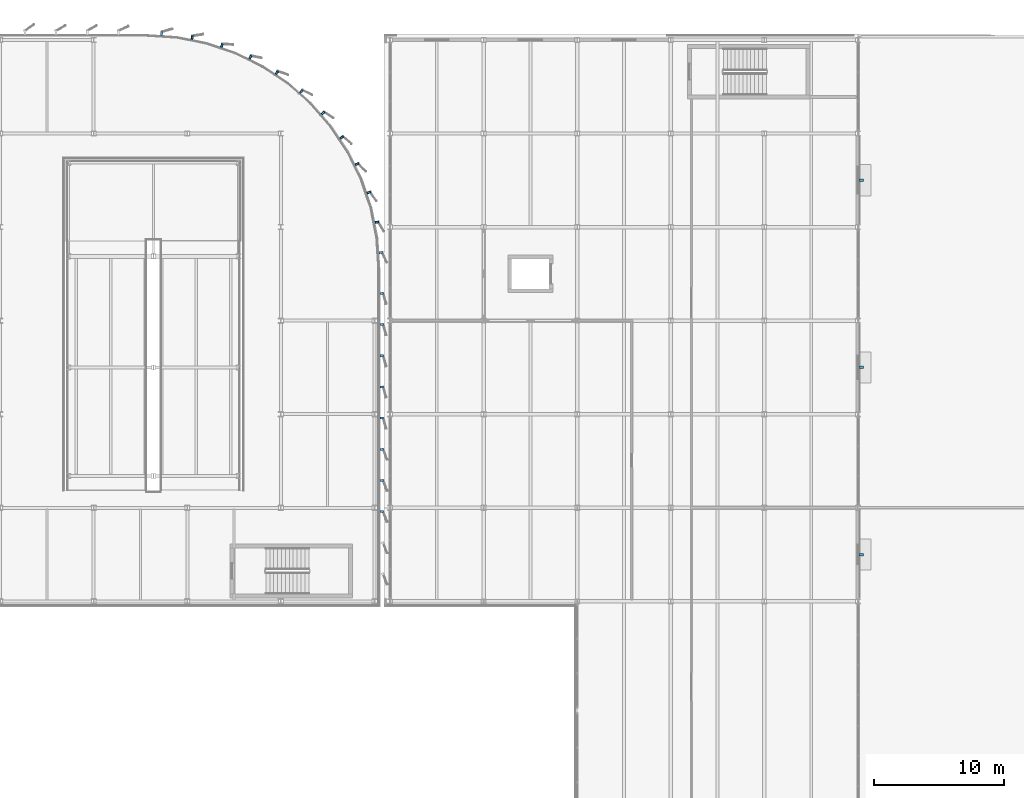
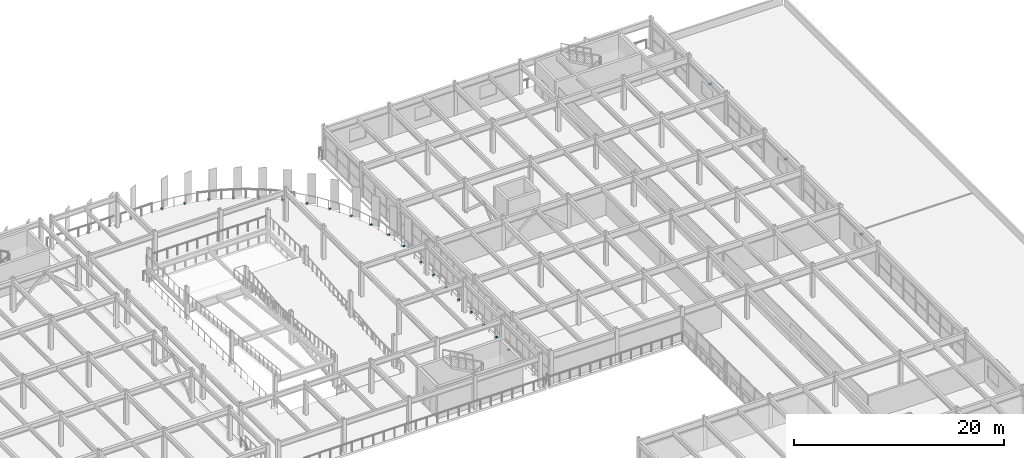
# One storey, part 62 of 80: 23 discrete accessories.
"""IFC4 building model written with IfcOpenShell, lengths in metres."""

from ifc_helpers import new_model, si_unit, direction, frame, origin, origin_2d, place, context, subcontext, project, spatial, rectangle, extrude, material, type_object, element, save


model = new_model("IFC4")

# Units and contexts
model_context = context("Model", 3, precision=1e-05, world=origin(), true_north=direction((0.0, 1.0)))
body_context = subcontext(model_context, "Body", "Model", "MODEL_VIEW")
ifc_project = project(units=[si_unit("LENGTHUNIT", "METRE"), si_unit("AREAUNIT", "SQUARE_METRE"), si_unit("VOLUMEUNIT", "CUBIC_METRE"), si_unit("PLANEANGLEUNIT", "RADIAN"), si_unit("MASSUNIT", "GRAM", prefix="KILO")], contexts=[model_context])

# Site, building, storey
site_placement = place(None, origin())
site = spatial("IfcSite", under=ifc_project, at=site_placement, CompositionType="ELEMENT")
building_placement = place(site_placement, origin())
building = spatial("IfcBuilding", under=site, at=building_placement, Name="Vaelcorin Mobility Hub", CompositionType="ELEMENT")
storey_placement = place(building_placement, frame((0.0, 0.0, 9.300048828125)))
storey = spatial("IfcBuildingStorey", under=building, at=storey_placement, Name="L02", CompositionType="ELEMENT", Elevation=9.300048828125)

# Discrete accessories
ifc_material = material(Name="Galvanised structural steel ASTM A36", Category="steel")
discrete_accessory_type = type_object("IfcDiscreteAccessoryType", Name="ACC-BRK-FIN", PredefinedType="BRACKET", material=ifc_material)
for number, where, z_axis, x_axis, name in (
    (1, (152.89306640625, 103.632080078125, -0.16015625), (0.0, 0.0, 1.0), (0.997857781587, 0.065420545144, 0.0), "Aerofoil Outrigger Bracket FIN-V2E-L02-ABK-01"),
    (2, (152.583984375, 105.97705078125, -0.16015625), (0.0, 0.0, 1.0), (0.980826118513, 0.19488490255, 0.0), "Aerofoil Outrigger Bracket FIN-V2E-L02-ABK-02"),
    (3, (151.971923828125, 108.261962890625, -0.16015625), (0.0, 0.0, 1.0), (0.946885238849, 0.321571678558, 0.0), "Aerofoil Outrigger Bracket FIN-V2E-L02-ABK-03"),
    (4, (151.06689453125, 110.447021484375, -0.16015625), (0.0, 0.0, 1.0), (0.896795533934, 0.442445217305, 0.0), "Aerofoil Outrigger Bracket FIN-V2E-L02-ABK-04"),
    (5, (149.884033203125, 112.49609375, -0.16015625), (0.0, 0.0, 1.0), (0.831527786922, 0.555483158679, 0.0), "Aerofoil Outrigger Bracket FIN-V2E-L02-ABK-05"),
    (6, (148.444091796875, 114.3720703125, -0.16015625), (0.0, 0.0, 1.0), (0.751897343393, 0.659280202189, 0.0), "Aerofoil Outrigger Bracket FIN-V2E-L02-ABK-06"),
    (7, (146.77197265625, 116.0439453125, -0.16015625), (0.0, 0.0, 1.0), (0.659280202189, 0.751897343393, 0.0), "Aerofoil Outrigger Bracket FIN-V2E-L02-ABK-07"),
    (8, (144.89599609375, 117.48388671875, -0.16015625), (0.0, 0.0, 1.0), (0.555483158679, 0.831527786922, 0.0), "Aerofoil Outrigger Bracket FIN-V2E-L02-ABK-08"),
    (9, (142.846923828125, 118.6669921875, -0.16015625), (0.0, 0.0, 1.0), (0.442445217305, 0.896795533934, 0.0), "Aerofoil Outrigger Bracket FIN-V2E-L02-ABK-09"),
    (10, (140.662109375, 119.572021484375, -0.16015625), (0.0, 0.0, 1.0), (0.321571678558, 0.946885238849, 0.0), "Aerofoil Outrigger Bracket FIN-V2E-L02-ABK-10"),
    (11, (138.376953125, 120.18408203125, -0.16015625), (0.0, 0.0, 1.0), (0.19488490255, 0.980826118513, 0.0), "Aerofoil Outrigger Bracket FIN-V2E-L02-ABK-11"),
    (12, (136.031982421875, 120.492919921875, -0.16015625), (0.0, 0.0, 1.0), (0.065420545144, 0.997857781587, 0.0), "Aerofoil Outrigger Bracket FIN-V2E-L02-ABK-12"),
    (13, (152.969970703125, 100.5, -0.16015625), (0.0, 0.0, 1.0), (1.0, 0.0, 0.0), "Aerofoil Outrigger Bracket FIN-V2E-L02-E-BK-01"),
    (14, (152.969970703125, 98.10009765625, -0.16015625), (0.0, 0.0, 1.0), (1.0, 0.0, 0.0), "Aerofoil Outrigger Bracket FIN-V2E-L02-E-BK-02"),
    (15, (152.969970703125, 95.699951171875, -0.16015625), (0.0, 0.0, 1.0), (1.0, 0.0, 0.0), "Aerofoil Outrigger Bracket FIN-V2E-L02-E-BK-03"),
    (16, (152.969970703125, 93.300048828125, -0.16015625), (0.0, 0.0, 1.0), (1.0, 0.0, 0.0), "Aerofoil Outrigger Bracket FIN-V2E-L02-E-BK-04"),
    (17, (152.969970703125, 90.89990234375, -0.16015625), (0.0, 0.0, 1.0), (1.0, 0.0, 0.0), "Aerofoil Outrigger Bracket FIN-V2E-L02-E-BK-05"),
    (18, (152.969970703125, 88.5, -0.16015625), (0.0, 0.0, 1.0), (1.0, 0.0, 0.0), "Aerofoil Outrigger Bracket FIN-V2E-L02-E-BK-06"),
    (19, (152.969970703125, 86.10009765625, -0.16015625), (0.0, 0.0, 1.0), (1.0, 0.0, 0.0), "Aerofoil Outrigger Bracket FIN-V2E-L02-E-BK-07"),
    (20, (152.969970703125, 83.699951171875, -0.16015625), (0.0, 0.0, 1.0), (1.0, 0.0, 0.0), "Aerofoil Outrigger Bracket FIN-V2E-L02-E-BK-08"),
):
    element("IfcDiscreteAccessory", number, at=place(storey_placement, frame(where, z_axis=z_axis, x_axis=x_axis)), inside=storey, type_object=discrete_accessory_type, Name=name, PredefinedType="BRACKET", context=body_context, shape_type="SweptSolid", body=[
        extrude(rectangle(XDim=0.280029296875, YDim=0.159912109375, at=origin_2d()), origin(), (0.0, 0.0, 1.0), 0.159912109375),
    ])
for number, where, z_axis, x_axis, name in (
    (21, (189.85009765625, 80.39990234375, 2.408203125), (0.0, 0.0, 1.0), (1.0, 0.0, 0.0), "Sun-Hood Bracket L02-09"),
    (22, (189.85009765625, 94.800048828125, 2.408203125), (0.0, 0.0, 1.0), (1.0, 0.0, 0.0), "Sun-Hood Bracket L02-11"),
    (23, (189.85009765625, 109.199951171875, 2.408203125), (0.0, 0.0, 1.0), (1.0, 0.0, 0.0), "Sun-Hood Bracket L02-13"),
):
    element("IfcDiscreteAccessory", number, at=place(storey_placement, frame(where, z_axis=z_axis, x_axis=x_axis)), inside=storey, type_object=discrete_accessory_type, Name=name, PredefinedType="BRACKET", context=body_context, shape_type="SweptSolid", body=[
        extrude(rectangle(XDim=0.35009765625, YDim=0.199951171875, at=origin_2d()), origin(), (0.0, 0.0, 1.0), 0.139892578125),
    ])

save(model, "model.ifc")
